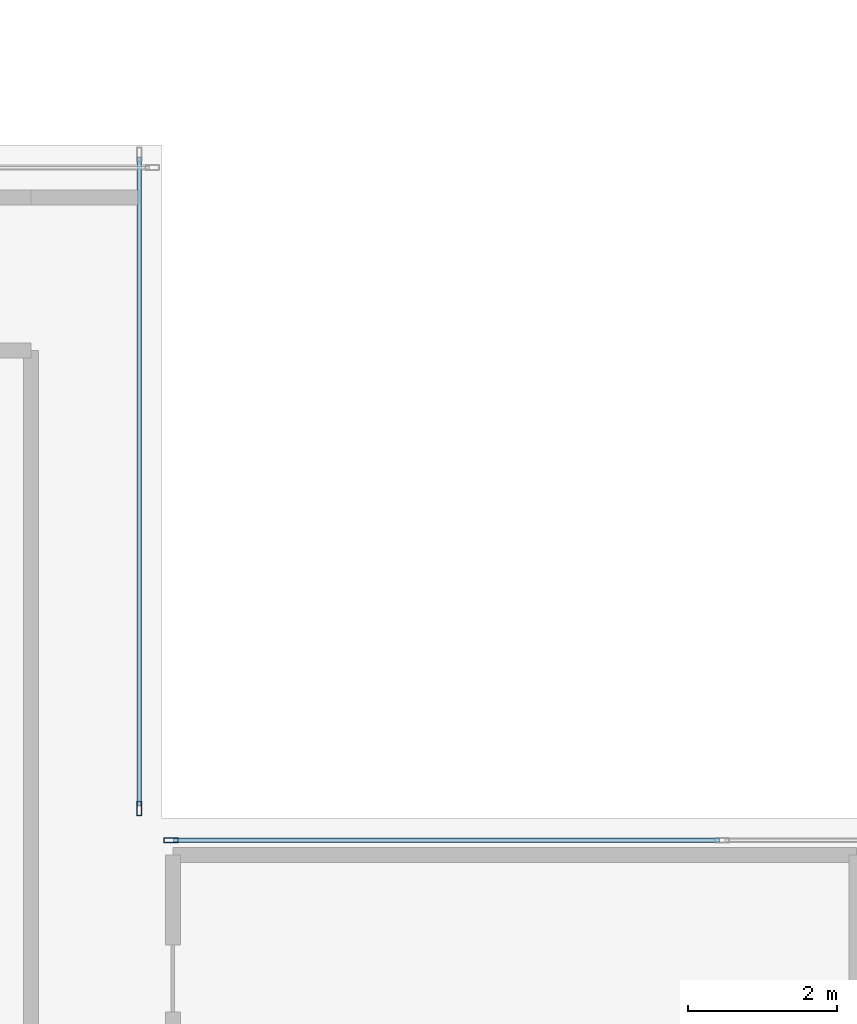
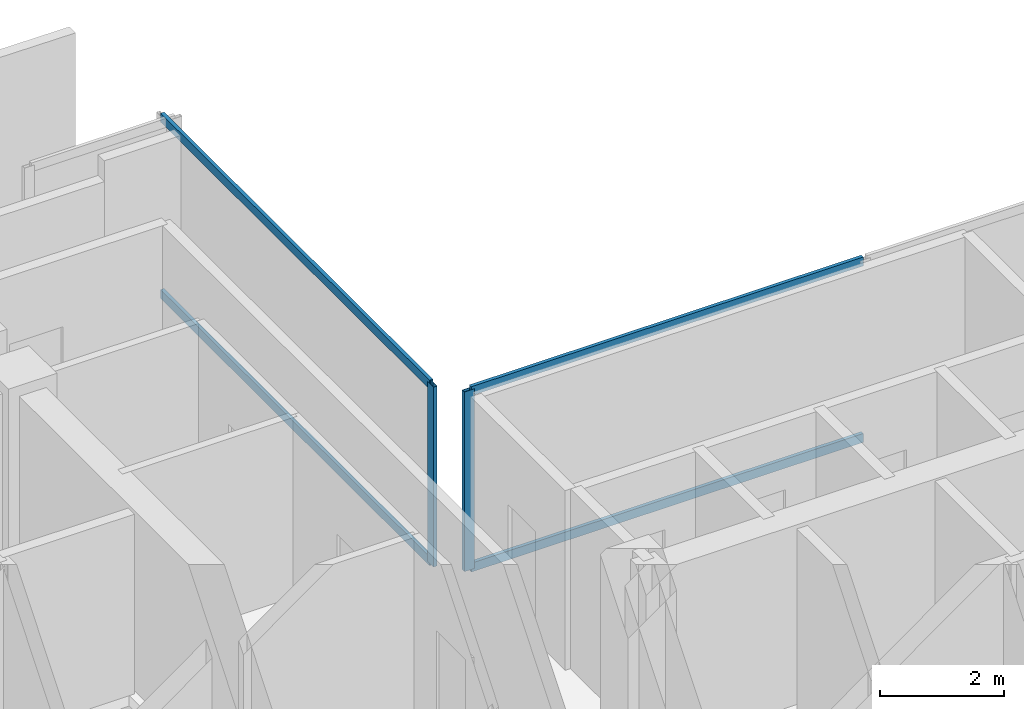
# One storey, part 10 of 28: 6 members, 2 elements without a shape of their own.
"""IFC4 building model written with IfcOpenShell, lengths in metres."""

from ifc_helpers import new_model, si_unit, direction, frame, origin, origin_2d, place, context, subcontext, project, spatial, hollow_rectangle, extrude, material, layer, layer_set, material_profile, profile_set, type_object, element, aggregate, save


model = new_model("IFC4")

# Units and contexts
model_context = context("Model", 3, precision=1e-05, world=origin(), true_north=direction((0.0, 1.0)))
body_context = subcontext(model_context, "Body", "Model", "MODEL_VIEW")
ifc_project = project(units=[si_unit("LENGTHUNIT", "METRE"), si_unit("AREAUNIT", "SQUARE_METRE"), si_unit("VOLUMEUNIT", "CUBIC_METRE"), si_unit("PLANEANGLEUNIT", "RADIAN"), si_unit("MASSUNIT", "GRAM", prefix="KILO"), si_unit("THERMODYNAMICTEMPERATUREUNIT", "KELVIN"), si_unit("POWERUNIT", "WATT")], contexts=[model_context])

# Site, building, storey
site_placement = place(None, origin())
site = spatial("IfcSite", under=ifc_project, at=site_placement, CompositionType="ELEMENT")
building_placement = place(site_placement, origin())
building = spatial("IfcBuilding", under=site, at=building_placement, Name="Svarakhadi Broadcast Tower", CompositionType="ELEMENT")
storey_placement = place(building_placement, frame((0.0, 0.0, 169.199951171875)))
storey = spatial("IfcBuildingStorey", under=building, at=storey_placement, Name="L41", CompositionType="ELEMENT", Elevation=169.199951171875)

# Curtain wall, member
ifc_material = material(Name="Anodised Bronze Aluminium AA 6063-T6", Category="aluminium")
ifc_layer = layer(ifc_material, 0.18994140625)
ifc_layer_set = layer_set([ifc_layer], Name="Anodised Bronze Aluminium AA 6063-T6")
curtain_wall_type = type_object("IfcCurtainWallType", Name="CW_Sys_04", PredefinedType="NOTDEFINED", material=ifc_layer_set)
curtain_wall_1_placement = place(storey_placement, origin())
curtain_wall_1 = element("IfcCurtainWall", 1, at=curtain_wall_1_placement, inside=storey, type_object=curtain_wall_type, Name="L41 Unitised Facade Curtain Wall 08", PredefinedType="NOTDEFINED")
ifc_material_profile_1 = material_profile(ifc_material, hollow_rectangle(XDim=0.070068359375, YDim=0.18994140625, WallThickness=0.005615234375, at=origin_2d()), Name="ALU MULLION 190x70x6")
ifc_profile_set_1 = profile_set([ifc_material_profile_1], Name="Anodised Bronze Aluminium AA 6063-T6")
member_type_1 = type_object("IfcMemberType", Name="CW_Sys_04_Mul", PredefinedType="MULLION", material=ifc_profile_set_1)
member_1_placement = place(storey_placement, frame((23.699951171875, 24.125, 0.0), z_axis=(0.0, 0.0, 1.0), x_axis=(1.0, 0.0, 0.0)))
member_1 = element("IfcMember", 2, at=member_1_placement, type_object=member_type_1, Name="CW-04 mullion 2", PredefinedType="MULLION", context=body_context, shape_type="SweptSolid", body=[
    extrude(hollow_rectangle(XDim=0.070068359375, YDim=0.18994140625, WallThickness=0.005615234375, at=origin_2d()), origin(), (0.0, 0.0, 1.0), 3.5400390625),
])

curtain_wall_2_placement = place(storey_placement, origin())
curtain_wall_2 = element("IfcCurtainWall", 3, at=curtain_wall_2_placement, inside=storey, type_object=curtain_wall_type, Name="L41 Unitised Facade Curtain Wall 09", PredefinedType="NOTDEFINED")
member_2_placement = place(storey_placement, frame((24.125, 23.699951171875, 0.0), z_axis=(0.0, 0.0, 1.0), x_axis=(0.0, 1.0, 0.0)))
member_2 = element("IfcMember", 4, at=member_2_placement, type_object=member_type_1, Name="CW-04 mullion 1", PredefinedType="MULLION", context=body_context, shape_type="SweptSolid", body=[
    extrude(hollow_rectangle(XDim=0.070068359375, YDim=0.18994140625, WallThickness=0.005615234375, at=origin_2d()), origin(), (0.0, 0.0, 1.0), 3.5400390625),
])

# Member
ifc_material_profile_2 = material_profile(ifc_material, hollow_rectangle(XDim=0.06494140625, YDim=0.175048828125, WallThickness=0.0048828125, at=origin_2d()), Name="ALU TRANSOM 175x65x5")
ifc_profile_set_2 = profile_set([ifc_material_profile_2], Name="Anodised Bronze Aluminium AA 6063-T6")
member_type_2 = type_object("IfcMemberType", Name="CW_Sys_04_Trn", PredefinedType="USERDEFINED", material=ifc_profile_set_2)
member_3_placement = place(storey_placement, frame((23.699951171875, 32.840087890625, 0.032470703125), z_axis=(0.0, -1.0, 0.0), x_axis=(1.0, 0.0, 0.0)))
member_3 = element("IfcMember", 5, at=member_3_placement, type_object=member_type_2, Name="CW-04 transom 1.1", ObjectType="TRANSOM", PredefinedType="USERDEFINED", context=body_context, shape_type="SweptSolid", body=[
    extrude(hollow_rectangle(XDim=0.06494140625, YDim=0.175048828125, WallThickness=0.0048828125, at=origin_2d()), origin(), (0.0, 0.0, 1.0), 8.68017578125),
])

member_4_placement = place(storey_placement, frame((23.699951171875, 32.840087890625, 3.507568359375), z_axis=(0.0, -1.0, 0.0), x_axis=(1.0, 0.0, 0.0)))
member_4 = element("IfcMember", 6, at=member_4_placement, type_object=member_type_2, Name="CW-04 transom 1.2", ObjectType="TRANSOM", PredefinedType="USERDEFINED", context=body_context, shape_type="SweptSolid", body=[
    extrude(hollow_rectangle(XDim=0.06494140625, YDim=0.175048828125, WallThickness=0.0048828125, at=origin_2d()), origin(), (0.0, 0.0, 1.0), 8.68017578125),
])

aggregate(curtain_wall_1, [member_1, member_3, member_4])

member_5_placement = place(storey_placement, frame((24.159912109375, 23.699951171875, 0.032470703125), z_axis=(1.0, 0.0, 0.0), x_axis=(0.0, 1.0, 0.0)))
member_5 = element("IfcMember", 7, at=member_5_placement, type_object=member_type_2, Name="CW-04 transom 1.1", ObjectType="TRANSOM", PredefinedType="USERDEFINED", context=body_context, shape_type="SweptSolid", body=[
    extrude(hollow_rectangle(XDim=0.06494140625, YDim=0.175048828125, WallThickness=0.0048828125, at=origin_2d()), origin(), (0.0, 0.0, 1.0), 7.30517578125),
])

member_6_placement = place(storey_placement, frame((24.159912109375, 23.699951171875, 3.507568359375), z_axis=(1.0, 0.0, 0.0), x_axis=(0.0, 1.0, 0.0)))
member_6 = element("IfcMember", 8, at=member_6_placement, type_object=member_type_2, Name="CW-04 transom 1.2", ObjectType="TRANSOM", PredefinedType="USERDEFINED", context=body_context, shape_type="SweptSolid", body=[
    extrude(hollow_rectangle(XDim=0.06494140625, YDim=0.175048828125, WallThickness=0.0048828125, at=origin_2d()), origin(), (0.0, 0.0, 1.0), 7.30517578125),
])

aggregate(curtain_wall_2, [member_2, member_5, member_6])

save(model, "model.ifc")
